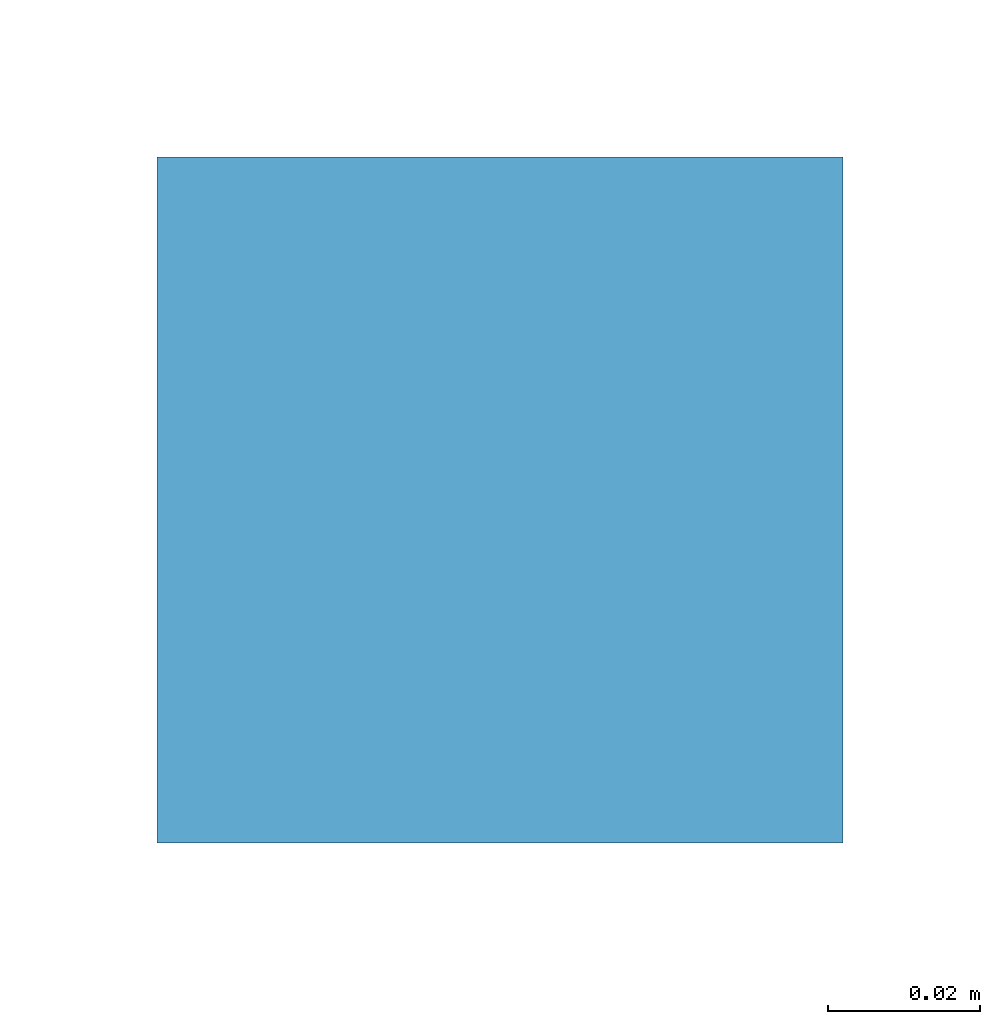
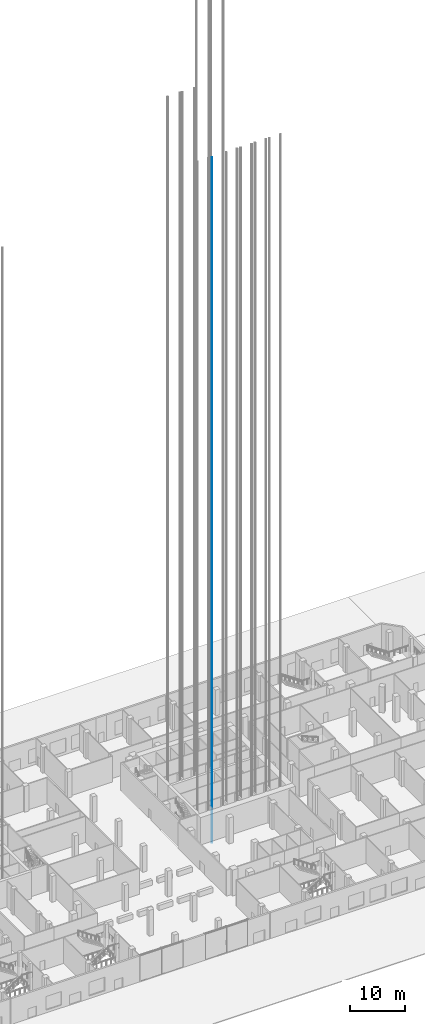
# One storey, part 14 of 55: 1 member.
"""IFC4 building model written with IfcOpenShell, lengths in metres."""

from ifc_helpers import new_model, si_unit, direction, frame, origin, origin_2d, place, context, subcontext, project, spatial, rectangle, extrude, material, material_profile, profile_set, type_object, element, save


model = new_model("IFC4")

# Units and contexts
model_context = context("Model", 3, precision=1e-05, world=origin(), true_north=direction((0.0, 1.0)))
body_context = subcontext(model_context, "Body", "Model", "MODEL_VIEW")
ifc_project = project(units=[si_unit("LENGTHUNIT", "METRE"), si_unit("AREAUNIT", "SQUARE_METRE"), si_unit("VOLUMEUNIT", "CUBIC_METRE"), si_unit("PLANEANGLEUNIT", "RADIAN"), si_unit("MASSUNIT", "GRAM", prefix="KILO")], contexts=[model_context])

# Site, building, storey
site_placement = place(None, origin())
site = spatial("IfcSite", under=ifc_project, at=site_placement, CompositionType="ELEMENT")
building_placement = place(site_placement, origin())
building = spatial("IfcBuilding", under=site, at=building_placement, Name="Cinnabar Reach Civic Tower", CompositionType="ELEMENT")
storey_placement = place(building_placement, origin())
storey = spatial("IfcBuildingStorey", under=building, at=storey_placement, Name="L00", CompositionType="ELEMENT", Elevation=0.0)

# Member
ifc_material = material(Name="Steel Q355B", Category="steel")
ifc_material_profile = material_profile(ifc_material, rectangle(XDim=0.09, YDim=0.09, at=origin_2d()), Name="T1 lift guide rail")
ifc_profile_set = profile_set([ifc_material_profile], Name="Steel Q355B")
member_type = type_object("IfcMemberType", Name="T1 lift guide rail", PredefinedType="USERDEFINED", material=ifc_profile_set)
member_placement = place(storey_placement, frame((7.87, 22.5, -2.5), z_axis=(0.0, 0.0, 1.0), x_axis=(1.0, 0.0, 0.0)))
element("IfcMember", 1, at=member_placement, inside=storey, type_object=member_type, Name="T1-LR2 guide rail 1", ObjectType="GUIDE RAIL", PredefinedType="USERDEFINED", context=body_context, shape_type="SweptSolid", body=[
    extrude(rectangle(XDim=0.09, YDim=0.09, at=origin_2d()), origin(), (0.0, 0.0, 1.0), 150.9),
])

save(model, "model.ifc")
